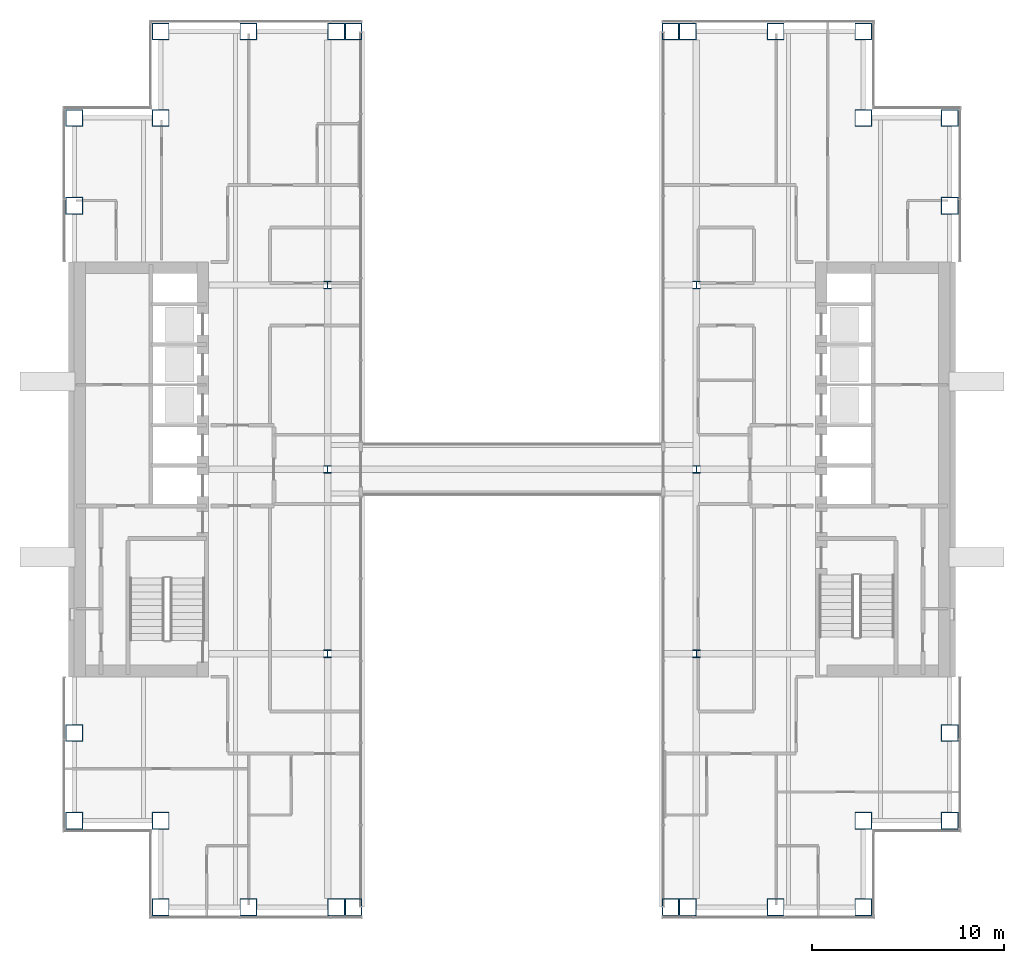
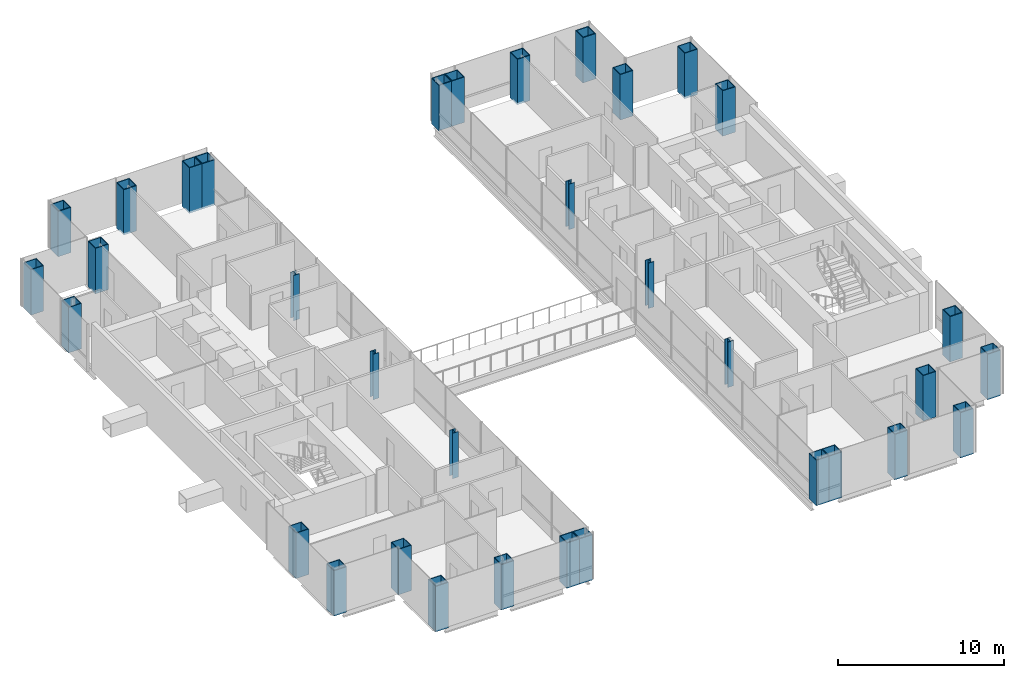
# One storey, part 1 of 17: 34 columns.
"""IFC4 building model written with IfcOpenShell, lengths in metres."""

from ifc_helpers import new_model, si_unit, direction, frame, origin, origin_2d, place, context, subcontext, project, spatial, hollow_rectangle, i_section, extrude, material, material_profile, profile_set, type_object, element, save


model = new_model("IFC4")

# Units and contexts
model_context = context("Model", 3, precision=1e-05, world=origin(), true_north=direction((0.0, 1.0)))
body_context = subcontext(model_context, "Body", "Model", "MODEL_VIEW")
ifc_project = project(units=[si_unit("LENGTHUNIT", "METRE"), si_unit("AREAUNIT", "SQUARE_METRE"), si_unit("VOLUMEUNIT", "CUBIC_METRE"), si_unit("PLANEANGLEUNIT", "RADIAN"), si_unit("MASSUNIT", "GRAM", prefix="KILO")], contexts=[model_context])

# Site, building, storey
site_placement = place(None, origin())
site = spatial("IfcSite", under=ifc_project, at=site_placement, CompositionType="ELEMENT")
building_placement = place(site_placement, origin())
building = spatial("IfcBuilding", under=site, at=building_placement, Name="Cobrizo Arcos Hotel Tower", CompositionType="ELEMENT")
storey_placement = place(building_placement, frame((0.0, 0.0, 134.5)))
storey = spatial("IfcBuildingStorey", under=building, at=storey_placement, Name="L34", CompositionType="ELEMENT", Elevation=134.5)

# Columns
ifc_material_1 = material(Name="Steel ASTM A572 Grade 50", Category="steel")
ifc_material_profile_1 = material_profile(ifc_material_1, hollow_rectangle(XDim=0.89990234375, YDim=0.89990234375, WallThickness=0.050048828125, at=origin_2d()), Name="BOX 900X900X50")
ifc_profile_set_1 = profile_set([ifc_material_profile_1], Name="Steel ASTM A572 Grade 50")
column_type_1 = type_object("IfcColumnType", Name="BOX 900X900X50 column", PredefinedType="COLUMN", material=ifc_profile_set_1)
for number, where, z_axis, x_axis, name in (
    (1, (-18.300048828125, 22.800048828125, -0.14990234375), (0.0, 0.0, 1.0), (1.0, 0.0, 0.0), "Perimeter column C6, L34, no. 00"),
    (2, (-18.300048828125, -22.800048828125, -0.14990234375), (0.0, 0.0, 1.0), (1.0, 0.0, 0.0), "Perimeter column C6, L34, no. 01"),
    (3, (-13.72509765625, 22.800048828125, -0.14990234375), (0.0, 0.0, 1.0), (1.0, 0.0, 0.0), "Perimeter column C6, L34, no. 02"),
    (4, (-13.72509765625, -22.800048828125, -0.14990234375), (0.0, 0.0, 1.0), (1.0, 0.0, 0.0), "Perimeter column C6, L34, no. 03"),
    (5, (-9.14990234375, 22.800048828125, -0.14990234375), (0.0, 0.0, 1.0), (1.0, 0.0, 0.0), "Perimeter column C6, L34, no. 04"),
    (6, (-9.14990234375, -22.800048828125, -0.14990234375), (0.0, 0.0, 1.0), (1.0, 0.0, 0.0), "Perimeter column C6, L34, no. 05"),
    (7, (9.14990234375, 22.800048828125, -0.14990234375), (0.0, 0.0, 1.0), (1.0, 0.0, 0.0), "Perimeter column C6, L34, no. 06"),
    (8, (9.14990234375, -22.800048828125, -0.14990234375), (0.0, 0.0, 1.0), (1.0, 0.0, 0.0), "Perimeter column C6, L34, no. 07"),
    (9, (13.72509765625, 22.800048828125, -0.14990234375), (0.0, 0.0, 1.0), (1.0, 0.0, 0.0), "Perimeter column C6, L34, no. 08"),
    (10, (13.72509765625, -22.800048828125, -0.14990234375), (0.0, 0.0, 1.0), (1.0, 0.0, 0.0), "Perimeter column C6, L34, no. 09"),
    (11, (18.300048828125, 22.800048828125, -0.14990234375), (0.0, 0.0, 1.0), (1.0, 0.0, 0.0), "Perimeter column C6, L34, no. 10"),
    (12, (18.300048828125, -22.800048828125, -0.14990234375), (0.0, 0.0, 1.0), (1.0, 0.0, 0.0), "Perimeter column C6, L34, no. 11"),
    (13, (22.800048828125, -18.300048828125, -0.14990234375), (0.0, 0.0, 1.0), (1.0, 0.0, 0.0), "Perimeter column C6, L34, no. 12"),
    (14, (-22.800048828125, -18.300048828125, -0.14990234375), (0.0, 0.0, 1.0), (1.0, 0.0, 0.0), "Perimeter column C6, L34, no. 13"),
    (15, (22.800048828125, -13.72509765625, -0.14990234375), (0.0, 0.0, 1.0), (1.0, 0.0, 0.0), "Perimeter column C6, L34, no. 14"),
    (16, (-22.800048828125, -13.72509765625, -0.14990234375), (0.0, 0.0, 1.0), (1.0, 0.0, 0.0), "Perimeter column C6, L34, no. 15"),
    (17, (22.800048828125, 13.72509765625, -0.14990234375), (0.0, 0.0, 1.0), (1.0, 0.0, 0.0), "Perimeter column C6, L34, no. 16"),
    (18, (-22.800048828125, 13.72509765625, -0.14990234375), (0.0, 0.0, 1.0), (1.0, 0.0, 0.0), "Perimeter column C6, L34, no. 17"),
    (19, (22.800048828125, 18.300048828125, -0.14990234375), (0.0, 0.0, 1.0), (1.0, 0.0, 0.0), "Perimeter column C6, L34, no. 18"),
    (20, (-22.800048828125, 18.300048828125, -0.14990234375), (0.0, 0.0, 1.0), (1.0, 0.0, 0.0), "Perimeter column C6, L34, no. 19"),
    (21, (-18.300048828125, -18.300048828125, -0.14990234375), (0.0, 0.0, 1.0), (1.0, 0.0, 0.0), "Perimeter column C6, L34, no. 20"),
    (22, (-18.300048828125, 18.300048828125, -0.14990234375), (0.0, 0.0, 1.0), (1.0, 0.0, 0.0), "Perimeter column C6, L34, no. 21"),
    (23, (18.300048828125, -18.300048828125, -0.14990234375), (0.0, 0.0, 1.0), (1.0, 0.0, 0.0), "Perimeter column C6, L34, no. 22"),
    (24, (18.300048828125, 18.300048828125, -0.14990234375), (0.0, 0.0, 1.0), (1.0, 0.0, 0.0), "Perimeter column C6, L34, no. 23"),
    (25, (-8.25, 22.800048828125, -0.14990234375), (0.0, 0.0, 1.0), (1.0, 0.0, 0.0), "Perimeter column C6, L34, no. 24"),
    (26, (-8.25, -22.800048828125, -0.14990234375), (0.0, 0.0, 1.0), (1.0, 0.0, 0.0), "Perimeter column C6, L34, no. 25"),
    (27, (8.25, 22.800048828125, -0.14990234375), (0.0, 0.0, 1.0), (1.0, 0.0, 0.0), "Perimeter column C6, L34, no. 26"),
    (28, (8.25, -22.800048828125, -0.14990234375), (0.0, 0.0, 1.0), (1.0, 0.0, 0.0), "Perimeter column C6, L34, no. 27"),
):
    element("IfcColumn", number, at=place(storey_placement, frame(where, z_axis=z_axis, x_axis=x_axis)), inside=storey, type_object=column_type_1, Name=name, PredefinedType="COLUMN", context=body_context, shape_type="SweptSolid", body=[
        extrude(hollow_rectangle(XDim=0.89990234375, YDim=0.89990234375, WallThickness=0.050048828125, at=origin_2d()), origin(), (0.0, 0.0, 1.0), 3.349853515625),
    ])
ifc_material_2 = material(Name="Steel ASTM A992 Grade 50", Category="steel")
ifc_material_profile_2 = material_profile(ifc_material_2, i_section(OverallWidth=0.398681640625, OverallDepth=0.393798828125, WebThickness=0.022705078125, FlangeThickness=0.03662109375, at=origin_2d()), Name="W14X193")
ifc_profile_set_2 = profile_set([ifc_material_profile_2], Name="Steel ASTM A992 Grade 50")
column_type_2 = type_object("IfcColumnType", Name="W14X193 interior column", PredefinedType="COLUMN", material=ifc_profile_set_2)
for number, where, z_axis, x_axis, name in (
    (29, (-9.60009765625, -9.60009765625, -0.14990234375), (0.0, 0.0, 1.0), (1.0, 0.0, 0.0), "Interior column C7, L34, no. 00"),
    (30, (-9.60009765625, 0.0, -0.14990234375), (0.0, 0.0, 1.0), (1.0, 0.0, 0.0), "Interior column C7, L34, no. 01"),
    (31, (-9.60009765625, 9.60009765625, -0.14990234375), (0.0, 0.0, 1.0), (1.0, 0.0, 0.0), "Interior column C7, L34, no. 02"),
    (32, (9.60009765625, -9.60009765625, -0.14990234375), (0.0, 0.0, 1.0), (1.0, 0.0, 0.0), "Interior column C7, L34, no. 03"),
    (33, (9.60009765625, 0.0, -0.14990234375), (0.0, 0.0, 1.0), (1.0, 0.0, 0.0), "Interior column C7, L34, no. 04"),
    (34, (9.60009765625, 9.60009765625, -0.14990234375), (0.0, 0.0, 1.0), (1.0, 0.0, 0.0), "Interior column C7, L34, no. 05"),
):
    element("IfcColumn", number, at=place(storey_placement, frame(where, z_axis=z_axis, x_axis=x_axis)), inside=storey, type_object=column_type_2, Name=name, PredefinedType="COLUMN", context=body_context, shape_type="SweptSolid", body=[
        extrude(i_section(OverallWidth=0.398681640625, OverallDepth=0.393798828125, WebThickness=0.022705078125, FlangeThickness=0.03662109375, at=origin_2d()), origin(), (0.0, 0.0, 1.0), 3.349853515625),
    ])

save(model, "model.ifc")
